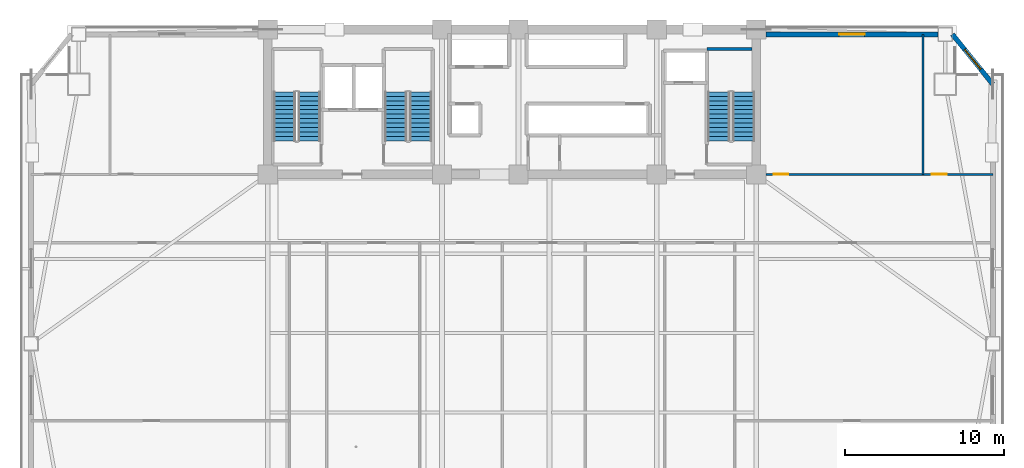
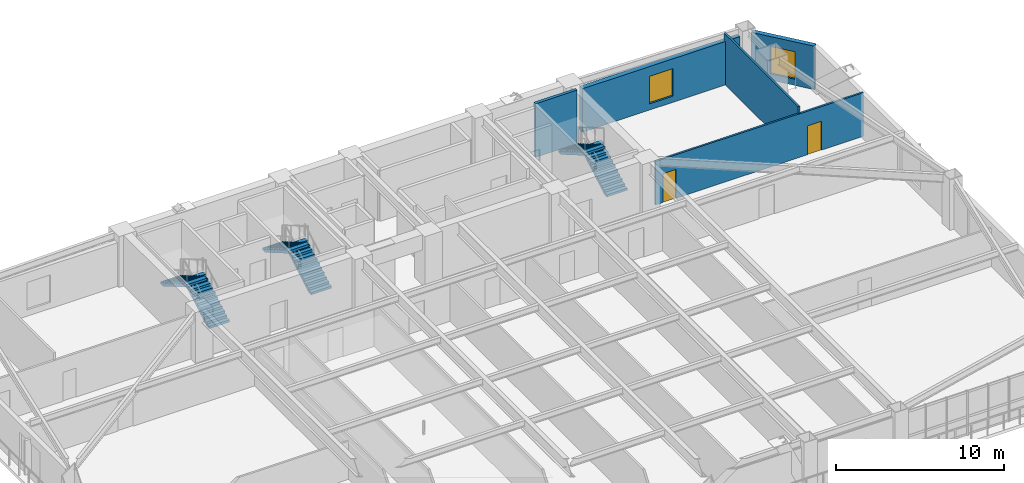
# One storey, part 10 of 15: 6 stair flights, 5 walls, 2 doors, 2 windows, 4 openings, 3 elements without a shape of their own.
"""IFC4 building model written with IfcOpenShell, lengths in metres."""

from ifc_helpers import new_model, si_unit, direction, frame, frame_2d, origin, place, context, subcontext, project, spatial, polyline, rectangle, outline, extrude, source, transform, mapped, material, layer, layer_set, type_object, element, fill, aggregate, save


model = new_model("IFC4")

# Units and contexts
model_context = context("Model", 3, precision=1e-05, world=origin(), true_north=direction((0.0, 1.0)))
body_context = subcontext(model_context, "Body", "Model", "MODEL_VIEW")
ifc_project = project(units=[si_unit("LENGTHUNIT", "METRE"), si_unit("AREAUNIT", "SQUARE_METRE"), si_unit("VOLUMEUNIT", "CUBIC_METRE"), si_unit("PLANEANGLEUNIT", "RADIAN"), si_unit("MASSUNIT", "GRAM", prefix="KILO")], contexts=[model_context])

# Site, building, storey
site_placement = place(None, origin())
site = spatial("IfcSite", under=ifc_project, at=site_placement, CompositionType="ELEMENT")
building_placement = place(site_placement, origin())
building = spatial("IfcBuilding", under=site, at=building_placement, Name="Giltprow Tower", CompositionType="ELEMENT")
storey_placement = place(building_placement, frame((0.0, 0.0, 123.10009765625)))
storey = spatial("IfcBuildingStorey", under=building, at=storey_placement, Name="L30", CompositionType="ELEMENT", Elevation=123.10009765625)

# Wall, opening, window
ifc_material_1 = material(Name="Precast concrete C40", Category="concrete")
ifc_layer_1 = layer(ifc_material_1, 0.300048828125, Name="Precast concrete C40")
ifc_layer_set_1 = layer_set([ifc_layer_1], Name="Precast concrete C40")
wall_type_1 = type_object("IfcWallType", Name="EW-NOTCH-CHAMFER-300", PredefinedType="SOLIDWALL", material=ifc_layer_set_1)
wall_1_placement = place(storey_placement, frame((65.4208984375, 43.10888671875, 0.0), z_axis=(0.0, 0.0, 1.0), x_axis=(-0.62893048879, 0.7774615362, 0.0)))
wall_1 = element("IfcWall", 1, at=wall_1_placement, inside=storey, type_object=wall_type_1, Name="L30 Corner Notch Wall NE", PredefinedType="SOLIDWALL", context=body_context, shape_type="SweptSolid", body=[
    extrude(rectangle(XDim=4.040283203125, YDim=0.300048828125, at=frame_2d((2.02001953125, 0.0))), origin(), (0.0, 0.0, 1.0), 3.159912109375),
])
opening_1_placement = place(wall_1_placement, frame((1.219970703125, 0.0, 0.449951171875)))
opening_1 = element("IfcOpeningElement", 2, at=opening_1_placement, cuts=wall_1, Name="Opening WN17", PredefinedType="OPENING", context=body_context, shape_type="SweptSolid", body=[
    extrude(rectangle(XDim=1.60009765625, YDim=2.0, at=frame_2d((0.800048828125, 1.0))), frame((0.0, 0.159912109375, 0.0), z_axis=(0.0, -1.0, 0.0), x_axis=(1.0, 0.0, 0.0)), (0.0, 0.0, 1.0), 0.320068359375),
])
ifc_material_2 = material(Name="Insulated glass", Category="glass")
window_type = type_object("IfcWindowType", Name="WN-COR-1600x2000", PartitioningType="SINGLE_PANEL", PredefinedType="WINDOW", material=ifc_material_2)
shared_shape_1 = source(origin(), body_context, "Body", "SweptSolid", [
    extrude(rectangle(XDim=1.60009765625, YDim=2.0, at=frame_2d((0.800048828125, 1.0))), frame((0.0, 0.030029296875, 0.0), z_axis=(0.0, -1.0, 0.0), x_axis=(1.0, 0.0, 0.0)), (0.0, 0.0, 1.0), 0.06005859375),
])
window_1_placement = place(opening_1_placement, origin())
window_1 = element("IfcWindow", 3, at=window_1_placement, inside=storey, type_object=window_type, Name="L30 Corner Notch Window NE", OverallHeight=2.0, OverallWidth=1.60009765625, PartitioningType="SINGLE_PANEL", PredefinedType="WINDOW", context=body_context, shape_type="MappedRepresentation", body=[
    mapped(shared_shape_1, transform((0.0, 0.0, 0.0), x_axis=(1.0, 0.0, 0.0), y_axis=(0.0, 1.0, 0.0), z_axis=(0.0, 0.0, 1.0), scale=1.0)),
])
fill(opening_1, window_1)

ifc_layer_2 = layer(ifc_material_1, 0.320068359375, Name="Precast concrete C40")
ifc_layer_set_2 = layer_set([ifc_layer_2], Name="Precast concrete C40")
wall_type_2 = type_object("IfcWallType", Name="EW-TOW-STONE-320", PredefinedType="SOLIDWALL", material=ifc_layer_set_2)
wall_2_placement = place(storey_placement, frame((51.14990234375, 46.25, 0.0), z_axis=(0.0, 0.0, 1.0), x_axis=(1.0, 0.0, 0.0)))
wall_2 = element("IfcWall", 4, at=wall_2_placement, inside=storey, type_object=wall_type_2, Name="L30 North-East Wing Wall", PredefinedType="SOLIDWALL", context=body_context, shape_type="SweptSolid", body=[
    extrude(rectangle(XDim=10.830078125, YDim=0.320068359375, at=frame_2d((5.4150390625, 0.0))), origin(), (0.0, 0.0, 1.0), 3.159912109375),
])
opening_2_placement = place(wall_2_placement, frame((4.614990234375, 0.0, 0.449951171875)))
opening_2 = element("IfcOpeningElement", 5, at=opening_2_placement, cuts=wall_2, Name="Opening WN17", PredefinedType="OPENING", context=body_context, shape_type="SweptSolid", body=[
    extrude(rectangle(XDim=1.60009765625, YDim=2.0, at=frame_2d((0.800048828125, 1.0))), frame((0.0, 0.169921875, 0.0), z_axis=(0.0, -1.0, 0.0), x_axis=(1.0, 0.0, 0.0)), (0.0, 0.0, 1.0), 0.340087890625),
])
window_2_placement = place(opening_2_placement, origin())
window_2 = element("IfcWindow", 6, at=window_2_placement, inside=storey, type_object=window_type, Name="L30 North-East Window", OverallHeight=2.0, OverallWidth=1.60009765625, PartitioningType="SINGLE_PANEL", PredefinedType="WINDOW", context=body_context, shape_type="MappedRepresentation", body=[
    mapped(shared_shape_1, transform((0.0, 0.0, 0.0), x_axis=(1.0, 0.0, 0.0), y_axis=(0.0, 1.0, 0.0), z_axis=(0.0, 0.0, 1.0), scale=1.0)),
])
fill(opening_2, window_2)

# Wall
ifc_material_3 = material(Name="Concrete C40", Category="concrete")
ifc_layer_3 = layer(ifc_material_3, 0.199951171875, Name="Concrete C40")
ifc_layer_set_3 = layer_set([ifc_layer_3], Name="Concrete C40")
wall_type_3 = type_object("IfcWallType", Name="IW-STAIR-200", PredefinedType="SOLIDWALL", material=ifc_layer_set_3)
wall_3_placement = place(storey_placement, frame((47.43994140625, 45.320068359375, 0.0), z_axis=(0.0, 0.0, 1.0), x_axis=(1.0, 0.0, 0.0)))
element("IfcWall", 7, at=wall_3_placement, inside=storey, type_object=wall_type_3, Name="L30 Stair ST-3 North Bearing Wall", PredefinedType="SOLIDWALL", context=body_context, shape_type="SweptSolid", body=[
    extrude(rectangle(XDim=2.85498046875, YDim=0.199951171875, at=frame_2d((1.427490234375, 0.0))), origin(), (0.0, 0.0, 1.0), 3.89990234375),
])

# Wall, openings, doors
ifc_material_4 = material(Name="Concrete C30", Category="concrete")
ifc_layer_4 = layer(ifc_material_4, 0.1298828125, Name="Concrete C30")
ifc_layer_set_4 = layer_set([ifc_layer_4], Name="Concrete C30")
wall_type_4 = type_object("IfcWallType", Name="IW-WET-130", PredefinedType="PARTITIONING", material=ifc_layer_set_4)
wall_4_placement = place(storey_placement, frame((51.14990234375, 37.449951171875, 0.0), z_axis=(0.0, 0.0, 1.0), x_axis=(1.0, 0.0, 0.0)))
wall_4 = element("IfcWall", 8, at=wall_4_placement, inside=storey, type_object=wall_type_4, Name="L30 NE Wing South Wall", PredefinedType="PARTITIONING", context=body_context, shape_type="SweptSolid", body=[
    extrude(rectangle(XDim=14.27099609375, YDim=0.1298828125, at=frame_2d((7.135498046875, 0.0))), origin(), (0.0, 0.0, 1.0), 3.164794921875),
])
opening_3_placement = place(wall_4_placement, frame((0.5, 0.0, 0.0)))
opening_3 = element("IfcOpeningElement", 9, at=opening_3_placement, cuts=wall_4, Name="Opening ID15", PredefinedType="OPENING", context=body_context, shape_type="SweptSolid", body=[
    extrude(rectangle(XDim=0.89990234375, YDim=2.10009765625, at=frame_2d((0.449951171875, 1.050048828125))), frame((0.0, 0.074951171875, 0.0), z_axis=(0.0, -1.0, 0.0), x_axis=(1.0, 0.0, 0.0)), (0.0, 0.0, 1.0), 0.14990234375),
])
opening_4_placement = place(wall_4_placement, frame((10.429931640625, 0.0, 0.0)))
opening_4 = element("IfcOpeningElement", 10, at=opening_4_placement, cuts=wall_4, Name="Opening ID11", PredefinedType="OPENING", context=body_context, shape_type="SweptSolid", body=[
    extrude(rectangle(XDim=0.949951171875, YDim=2.10009765625, at=frame_2d((0.47509765625, 1.050048828125))), frame((0.0, 0.074951171875, 0.0), z_axis=(0.0, -1.0, 0.0), x_axis=(1.0, 0.0, 0.0)), (0.0, 0.0, 1.0), 0.14990234375),
])
ifc_material_5 = material(Name="Engineered timber", Category="wood")
door_type_1 = type_object("IfcDoorType", Name="DR-WC-900", OperationType="SINGLE_SWING_LEFT", PredefinedType="DOOR", material=ifc_material_5)
shared_shape_2 = source(origin(), body_context, "Body", "SweptSolid", [
    extrude(rectangle(XDim=0.89990234375, YDim=2.10009765625, at=frame_2d((0.449951171875, 1.050048828125))), frame((0.0, 0.02490234375, 0.0), z_axis=(0.0, -1.0, 0.0), x_axis=(1.0, 0.0, 0.0)), (0.0, 0.0, 1.0), 0.050048828125),
])
door_1_placement = place(opening_3_placement, origin())
door_1 = element("IfcDoor", 11, at=door_1_placement, inside=storey, type_object=door_type_1, Name="L30 East Wing Washroom Door", OperationType="SINGLE_SWING_RIGHT", OverallHeight=2.10009765625, OverallWidth=0.89990234375, PredefinedType="DOOR", context=body_context, shape_type="MappedRepresentation", body=[
    mapped(shared_shape_2, transform((0.0, 0.0, 0.0), x_axis=(1.0, 0.0, 0.0), y_axis=(0.0, 1.0, 0.0), z_axis=(0.0, 0.0, 1.0), scale=1.0)),
])
fill(opening_3, door_1)
door_type_2 = type_object("IfcDoorType", Name="DR-ROOM-950", OperationType="SINGLE_SWING_RIGHT", PredefinedType="DOOR", material=ifc_material_5)
shared_shape_3 = source(origin(), body_context, "Body", "SweptSolid", [
    extrude(rectangle(XDim=0.949951171875, YDim=2.10009765625, at=frame_2d((0.47509765625, 1.050048828125))), frame((0.0, 0.02490234375, 0.0), z_axis=(0.0, -1.0, 0.0), x_axis=(1.0, 0.0, 0.0)), (0.0, 0.0, 1.0), 0.050048828125),
])
door_2_placement = place(opening_4_placement, origin())
door_2 = element("IfcDoor", 12, at=door_2_placement, inside=storey, type_object=door_type_2, Name="L30 East Tenant Archive Store Door", OperationType="SINGLE_SWING_LEFT", OverallHeight=2.10009765625, OverallWidth=0.949951171875, PredefinedType="DOOR", context=body_context, shape_type="MappedRepresentation", body=[
    mapped(shared_shape_3, transform((0.0, 0.0, 0.0), x_axis=(1.0, 0.0, 0.0), y_axis=(0.0, 1.0, 0.0), z_axis=(0.0, 0.0, 1.0), scale=1.0)),
])
fill(opening_4, door_2)

# Wall
wall_5_placement = place(storey_placement, frame((61.030029296875, 37.449951171875, 0.0), z_axis=(0.0, 0.0, 1.0), x_axis=(0.0, 1.0, 0.0)))
element("IfcWall", 13, at=wall_5_placement, inside=storey, type_object=wall_type_4, Name="L30 NE Wing Divider", PredefinedType="PARTITIONING", context=body_context, shape_type="SweptSolid", body=[
    extrude(rectangle(XDim=8.800048828125, YDim=0.1298828125, at=frame_2d((4.39990234375, 0.0))), origin(), (0.0, 0.0, 1.0), 3.679931640625),
])

# Stair, stair flights
stair_type_1 = type_object("IfcStairType", Name="STR-ST-1", PredefinedType="HALF_TURN_STAIR", material=ifc_material_3)
stair_1_placement = place(storey_placement, origin())
stair_1 = element("IfcStair", 14, at=stair_1_placement, inside=storey, type_object=stair_type_1, Name="L30 Core Exit Stair ST-1", PredefinedType="HALF_TURN_STAIR")
stair_flight_type_1 = type_object("IfcStairFlightType", Name="SFL-ST-1", PredefinedType="STRAIGHT", material=ifc_material_3)
stair_flight_1_placement = place(storey_placement, frame((22.4599609375, 39.550048828125, 0.0), z_axis=(0.0, 0.0, 1.0), x_axis=(0.0, 1.0, 0.0)))
stair_flight_1 = element("IfcStairFlight", 15, at=stair_flight_1_placement, type_object=stair_flight_type_1, Name="ST-1 flight 1", NumberOfRisers=12, NumberOfTreads=11, PredefinedType="STRAIGHT", RiserHeight=0.1625, TreadLength=0.28, context=body_context, shape_type="SweptSolid", body=[
    extrude(outline(polyline([(0.0, 0.0), (0.0, 0.16259765625), (0.280029296875, 0.16259765625), (0.280029296875, 0.324951171875), (0.56005859375, 0.324951171875), (0.56005859375, 0.487548828125), (0.840087890625, 0.487548828125), (0.840087890625, 0.64990234375), (1.1201171875, 0.64990234375), (1.1201171875, 0.8125), (1.39990234375, 0.8125), (1.39990234375, 0.97509765625), (1.679931640625, 0.97509765625), (1.679931640625, 1.137451171875), (1.9599609375, 1.137451171875), (1.9599609375, 1.300048828125), (2.239990234375, 1.300048828125), (2.239990234375, 1.46240234375), (2.52001953125, 1.46240234375), (2.52001953125, 1.625), (2.800048828125, 1.625), (2.800048828125, 1.78759765625), (3.080078125, 1.78759765625), (3.080078125, 1.949951171875), (3.080078125, 1.6142578125), (0.298583984375, 0.0), (0.0, 0.0)])), frame((0.0, 0.699951171875, 0.0), z_axis=(0.0, -1.0, 0.0), x_axis=(1.0, 0.0, 0.0)), (0.0, 0.0, 1.0), 1.39990234375),
])
stair_flight_2_placement = place(storey_placement, frame((20.89990234375, 42.6298828125, 1.949951171875), z_axis=(0.0, 0.0, 1.0), x_axis=(0.0, -1.0, 0.0)))
stair_flight_2 = element("IfcStairFlight", 16, at=stair_flight_2_placement, type_object=stair_flight_type_1, Name="ST-1 flight 2", NumberOfRisers=12, NumberOfTreads=11, PredefinedType="STRAIGHT", RiserHeight=0.1625, TreadLength=0.28, context=body_context, shape_type="SweptSolid", body=[
    extrude(outline(polyline([(0.0, 0.0), (0.0, 0.16259765625), (0.280029296875, 0.16259765625), (0.280029296875, 0.324951171875), (0.56005859375, 0.324951171875), (0.56005859375, 0.487548828125), (0.840087890625, 0.487548828125), (0.840087890625, 0.64990234375), (1.1201171875, 0.64990234375), (1.1201171875, 0.8125), (1.39990234375, 0.8125), (1.39990234375, 0.97509765625), (1.679931640625, 0.97509765625), (1.679931640625, 1.137451171875), (1.9599609375, 1.137451171875), (1.9599609375, 1.300048828125), (2.239990234375, 1.300048828125), (2.239990234375, 1.46240234375), (2.52001953125, 1.46240234375), (2.52001953125, 1.625), (2.800048828125, 1.625), (2.800048828125, 1.78759765625), (3.080078125, 1.78759765625), (3.080078125, 1.949951171875), (3.080078125, 1.6142578125), (0.298583984375, 0.0), (0.0, 0.0)])), frame((0.0, 0.699951171875, 0.0), z_axis=(0.0, -1.0, 0.0), x_axis=(1.0, 0.0, 0.0)), (0.0, 0.0, 1.0), 1.39990234375),
])
aggregate(stair_1, [stair_flight_1, stair_flight_2])

stair_type_2 = type_object("IfcStairType", Name="STR-ST-2", PredefinedType="HALF_TURN_STAIR", material=ifc_material_3)
stair_2_placement = place(storey_placement, origin())
stair_2 = element("IfcStair", 17, at=stair_2_placement, inside=storey, type_object=stair_type_2, Name="L30 Core Exit Stair ST-2", PredefinedType="HALF_TURN_STAIR")
stair_flight_type_2 = type_object("IfcStairFlightType", Name="SFL-ST-2", PredefinedType="STRAIGHT", material=ifc_material_3)
stair_flight_3_placement = place(storey_placement, frame((29.4599609375, 39.550048828125, 0.0), z_axis=(0.0, 0.0, 1.0), x_axis=(0.0, 1.0, 0.0)))
stair_flight_3 = element("IfcStairFlight", 18, at=stair_flight_3_placement, type_object=stair_flight_type_2, Name="ST-2 flight 1", NumberOfRisers=12, NumberOfTreads=11, PredefinedType="STRAIGHT", RiserHeight=0.1625, TreadLength=0.28, context=body_context, shape_type="SweptSolid", body=[
    extrude(outline(polyline([(0.0, 0.0), (0.0, 0.16259765625), (0.280029296875, 0.16259765625), (0.280029296875, 0.324951171875), (0.56005859375, 0.324951171875), (0.56005859375, 0.487548828125), (0.840087890625, 0.487548828125), (0.840087890625, 0.64990234375), (1.1201171875, 0.64990234375), (1.1201171875, 0.8125), (1.39990234375, 0.8125), (1.39990234375, 0.97509765625), (1.679931640625, 0.97509765625), (1.679931640625, 1.137451171875), (1.9599609375, 1.137451171875), (1.9599609375, 1.300048828125), (2.239990234375, 1.300048828125), (2.239990234375, 1.46240234375), (2.52001953125, 1.46240234375), (2.52001953125, 1.625), (2.800048828125, 1.625), (2.800048828125, 1.78759765625), (3.080078125, 1.78759765625), (3.080078125, 1.949951171875), (3.080078125, 1.6142578125), (0.298583984375, 0.0), (0.0, 0.0)])), frame((0.0, 0.699951171875, 0.0), z_axis=(0.0, -1.0, 0.0), x_axis=(1.0, 0.0, 0.0)), (0.0, 0.0, 1.0), 1.39990234375),
])
stair_flight_4_placement = place(storey_placement, frame((27.89990234375, 42.6298828125, 1.949951171875), z_axis=(0.0, 0.0, 1.0), x_axis=(0.0, -1.0, 0.0)))
stair_flight_4 = element("IfcStairFlight", 19, at=stair_flight_4_placement, type_object=stair_flight_type_2, Name="ST-2 flight 2", NumberOfRisers=12, NumberOfTreads=11, PredefinedType="STRAIGHT", RiserHeight=0.1625, TreadLength=0.28, context=body_context, shape_type="SweptSolid", body=[
    extrude(outline(polyline([(0.0, 0.0), (0.0, 0.16259765625), (0.280029296875, 0.16259765625), (0.280029296875, 0.324951171875), (0.56005859375, 0.324951171875), (0.56005859375, 0.487548828125), (0.840087890625, 0.487548828125), (0.840087890625, 0.64990234375), (1.1201171875, 0.64990234375), (1.1201171875, 0.8125), (1.39990234375, 0.8125), (1.39990234375, 0.97509765625), (1.679931640625, 0.97509765625), (1.679931640625, 1.137451171875), (1.9599609375, 1.137451171875), (1.9599609375, 1.300048828125), (2.239990234375, 1.300048828125), (2.239990234375, 1.46240234375), (2.52001953125, 1.46240234375), (2.52001953125, 1.625), (2.800048828125, 1.625), (2.800048828125, 1.78759765625), (3.080078125, 1.78759765625), (3.080078125, 1.949951171875), (3.080078125, 1.6142578125), (0.298583984375, 0.0), (0.0, 0.0)])), frame((0.0, 0.699951171875, 0.0), z_axis=(0.0, -1.0, 0.0), x_axis=(1.0, 0.0, 0.0)), (0.0, 0.0, 1.0), 1.39990234375),
])
aggregate(stair_2, [stair_flight_3, stair_flight_4])

stair_type_3 = type_object("IfcStairType", Name="STR-ST-3", PredefinedType="HALF_TURN_STAIR", material=ifc_material_3)
stair_3_placement = place(storey_placement, origin())
stair_3 = element("IfcStair", 20, at=stair_3_placement, inside=storey, type_object=stair_type_3, Name="L30 Core Exit Stair ST-3", PredefinedType="HALF_TURN_STAIR")
stair_flight_type_3 = type_object("IfcStairFlightType", Name="SFL-ST-3", PredefinedType="STRAIGHT", material=ifc_material_3)
stair_flight_5_placement = place(storey_placement, frame((49.760009765625, 39.550048828125, 0.0), z_axis=(0.0, 0.0, 1.0), x_axis=(0.0, 1.0, 0.0)))
stair_flight_5 = element("IfcStairFlight", 21, at=stair_flight_5_placement, type_object=stair_flight_type_3, Name="ST-3 flight 1", NumberOfRisers=12, NumberOfTreads=11, PredefinedType="STRAIGHT", RiserHeight=0.1625, TreadLength=0.28, context=body_context, shape_type="SweptSolid", body=[
    extrude(outline(polyline([(0.0, 0.0), (0.0, 0.16259765625), (0.280029296875, 0.16259765625), (0.280029296875, 0.324951171875), (0.56005859375, 0.324951171875), (0.56005859375, 0.487548828125), (0.840087890625, 0.487548828125), (0.840087890625, 0.64990234375), (1.1201171875, 0.64990234375), (1.1201171875, 0.8125), (1.39990234375, 0.8125), (1.39990234375, 0.97509765625), (1.679931640625, 0.97509765625), (1.679931640625, 1.137451171875), (1.9599609375, 1.137451171875), (1.9599609375, 1.300048828125), (2.239990234375, 1.300048828125), (2.239990234375, 1.46240234375), (2.52001953125, 1.46240234375), (2.52001953125, 1.625), (2.800048828125, 1.625), (2.800048828125, 1.78759765625), (3.080078125, 1.78759765625), (3.080078125, 1.949951171875), (3.080078125, 1.6142578125), (0.298583984375, 0.0), (0.0, 0.0)])), frame((0.0, 0.699951171875, 0.0), z_axis=(0.0, -1.0, 0.0), x_axis=(1.0, 0.0, 0.0)), (0.0, 0.0, 1.0), 1.39990234375),
])
stair_flight_6_placement = place(storey_placement, frame((48.199951171875, 42.6298828125, 1.949951171875), z_axis=(0.0, 0.0, 1.0), x_axis=(0.0, -1.0, 0.0)))
stair_flight_6 = element("IfcStairFlight", 22, at=stair_flight_6_placement, type_object=stair_flight_type_3, Name="ST-3 flight 2", NumberOfRisers=12, NumberOfTreads=11, PredefinedType="STRAIGHT", RiserHeight=0.1625, TreadLength=0.28, context=body_context, shape_type="SweptSolid", body=[
    extrude(outline(polyline([(0.0, 0.0), (0.0, 0.16259765625), (0.280029296875, 0.16259765625), (0.280029296875, 0.324951171875), (0.56005859375, 0.324951171875), (0.56005859375, 0.487548828125), (0.840087890625, 0.487548828125), (0.840087890625, 0.64990234375), (1.1201171875, 0.64990234375), (1.1201171875, 0.8125), (1.39990234375, 0.8125), (1.39990234375, 0.97509765625), (1.679931640625, 0.97509765625), (1.679931640625, 1.137451171875), (1.9599609375, 1.137451171875), (1.9599609375, 1.300048828125), (2.239990234375, 1.300048828125), (2.239990234375, 1.46240234375), (2.52001953125, 1.46240234375), (2.52001953125, 1.625), (2.800048828125, 1.625), (2.800048828125, 1.78759765625), (3.080078125, 1.78759765625), (3.080078125, 1.949951171875), (3.080078125, 1.6142578125), (0.298583984375, 0.0), (0.0, 0.0)])), frame((0.0, 0.699951171875, 0.0), z_axis=(0.0, -1.0, 0.0), x_axis=(1.0, 0.0, 0.0)), (0.0, 0.0, 1.0), 1.39990234375),
])
aggregate(stair_3, [stair_flight_5, stair_flight_6])

save(model, "model.ifc")
